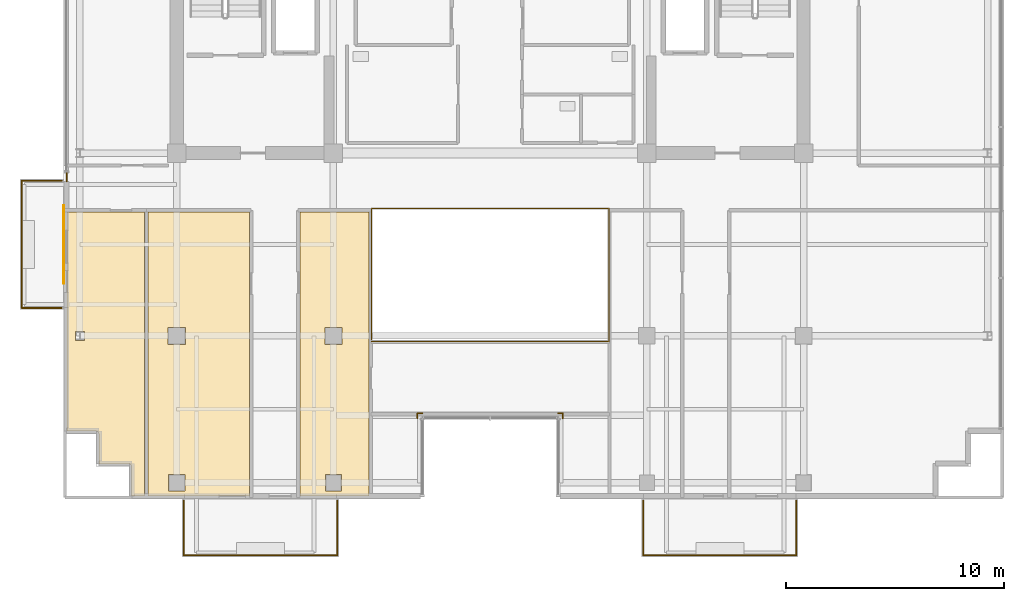
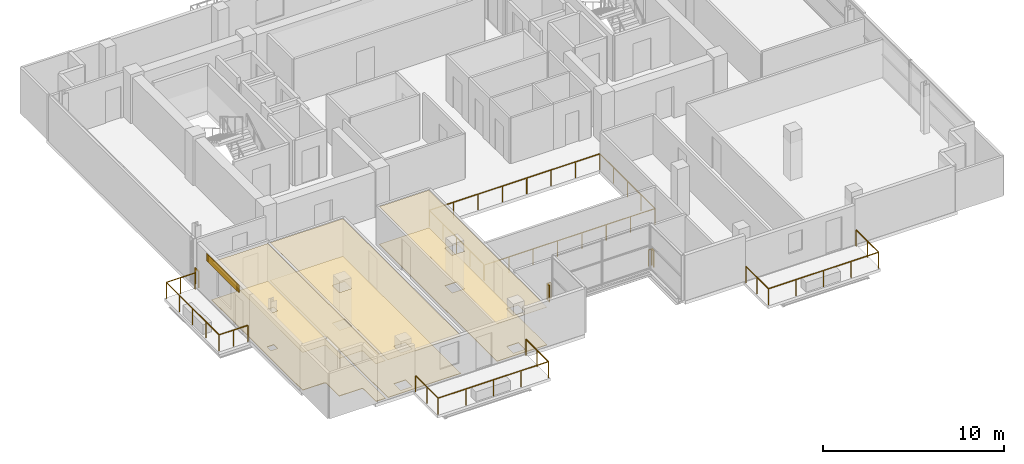
# One storey, part 20 of 24: 9 railings, 7 coverings, 1 shading device.
"""IFC4 building model written with IfcOpenShell, lengths in metres."""

from ifc_helpers import new_model, si_unit, direction, frame, origin, origin_2d, place, context, subcontext, project, spatial, polyline, rectangle, outline, extrude, source, transform, mapped, material, layer, layer_set, type_object, element, save


model = new_model("IFC4")

# Units and contexts
model_context = context("Model", 3, precision=1e-05, world=origin(), true_north=direction((0.0, 1.0)))
body_context = subcontext(model_context, "Body", "Model", "MODEL_VIEW")
ifc_project = project(units=[si_unit("LENGTHUNIT", "METRE"), si_unit("AREAUNIT", "SQUARE_METRE"), si_unit("VOLUMEUNIT", "CUBIC_METRE"), si_unit("PLANEANGLEUNIT", "RADIAN"), si_unit("MASSUNIT", "GRAM", prefix="KILO")], contexts=[model_context])

# Site, building, storey
site_placement = place(None, origin())
site = spatial("IfcSite", under=ifc_project, at=site_placement, CompositionType="ELEMENT")
building_placement = place(site_placement, origin())
building = spatial("IfcBuilding", under=site, at=building_placement, Name="Zarnakvel Exchange Tower", CompositionType="ELEMENT")
storey_placement = place(building_placement, frame((0.0, 0.0, 235.300048828125)))
storey = spatial("IfcBuildingStorey", under=building, at=storey_placement, Name="L66", CompositionType="ELEMENT", Elevation=235.300048828125)

# Coverings
ifc_material_1 = material(Name="Perforated Bronze Acoustic Metal Ceiling", Category="aluminium")
ifc_layer_1 = layer(ifc_material_1, 0.02001953125)
ifc_layer_set_1 = layer_set([ifc_layer_1], Name="Perforated Bronze Acoustic Metal Ceiling")
covering_type_1 = type_object("IfcCoveringType", Name="CLG-01", PredefinedType="CEILING", material=ifc_layer_set_1)
covering_1_placement = place(storey_placement, frame((0.0, 0.0, 2.554931640625)))
element("IfcCovering", 1, at=covering_1_placement, inside=storey, type_object=covering_type_1, Name="L66 Suspended Acoustic Ceiling (Commodities Dealing Room)", PredefinedType="CEILING", context=body_context, shape_type="SweptSolid", body=[
    extrude(outline(polyline([(-15.87158203125, -3.909912109375), (-15.87158203125, -16.949951171875), (-16.47998046875, -16.949951171875), (-16.47998046875, -15.60009765625), (-16.48046875, -15.588134765625), (-16.482421875, -15.57666015625), (-16.485107421875, -15.565185546875), (-16.489013671875, -15.55419921875), (-16.494140625, -15.54345703125), (-16.500244140625, -15.533447265625), (-16.50732421875, -15.52392578125), (-16.51513671875, -15.51513671875), (-16.52392578125, -15.50732421875), (-16.533447265625, -15.500244140625), (-16.54345703125, -15.494140625), (-16.55419921875, -15.489013671875), (-16.565185546875, -15.485107421875), (-16.57666015625, -15.482421875), (-16.588134765625, -15.48046875), (-16.60009765625, -15.47998046875), (-17.97998046875, -15.47998046875), (-17.97998046875, -14.10009765625), (-17.98046875, -14.088134765625), (-17.982421875, -14.07666015625), (-17.985107421875, -14.065185546875), (-17.989013671875, -14.05419921875), (-17.994140625, -14.04345703125), (-18.000244140625, -14.033447265625), (-18.00732421875, -14.02392578125), (-18.01513671875, -14.01513671875), (-18.02392578125, -14.00732421875), (-18.033447265625, -14.000244140625), (-18.04345703125, -13.994140625), (-18.05419921875, -13.989013671875), (-18.065185546875, -13.985107421875), (-18.07666015625, -13.982421875), (-18.088134765625, -13.98046875), (-18.10009765625, -13.97998046875), (-19.449951171875, -13.97998046875), (-19.449951171875, -3.909912109375), (-15.87158203125, -3.909912109375)]), holes=[polyline([(-18.642578125, -9.807373046875), (-18.642578125, -9.392578125), (-19.057373046875, -9.392578125), (-19.057373046875, -9.807373046875), (-18.642578125, -9.807373046875)])]), origin(), (0.0, 0.0, 1.0), 0.02001953125),
])
covering_2_placement = place(storey_placement, frame((0.0, 0.0, 2.554931640625)))
element("IfcCovering", 2, at=covering_2_placement, inside=storey, type_object=covering_type_1, Name="L66 Suspended Acoustic Ceiling (Brokerage Office)", PredefinedType="CEILING", context=body_context, shape_type="SweptSolid", body=[
    extrude(outline(polyline([(-15.711669921875, -3.909912109375), (-11.06005859375, -3.909912109375), (-11.06005859375, -16.949951171875), (-15.711669921875, -16.949951171875), (-15.711669921875, -3.909912109375)]), holes=[polyline([(-14.0048828125, -9.9951171875), (-14.0048828125, -9.205078125), (-14.794921875, -9.205078125), (-14.794921875, -9.9951171875), (-14.0048828125, -9.9951171875)]), polyline([(-14.030029296875, -15.97998046875), (-14.77001953125, -15.97998046875), (-14.77001953125, -16.719970703125), (-14.030029296875, -16.719970703125), (-14.030029296875, -15.97998046875)])]), origin(), (0.0, 0.0, 1.0), 0.02001953125),
])
covering_3_placement = place(storey_placement, frame((0.0, 0.0, 2.554931640625)))
element("IfcCovering", 3, at=covering_3_placement, inside=storey, type_object=covering_type_1, Name="L66 Suspended Acoustic Ceiling (Tea Pantry)", PredefinedType="CEILING", context=body_context, shape_type="SweptSolid", body=[
    extrude(outline(polyline([(-8.739990234375, -3.909912109375), (-5.56005859375, -3.909912109375), (-5.56005859375, -16.949951171875), (-8.739990234375, -16.949951171875), (-8.739990234375, -3.909912109375)]), holes=[polyline([(-6.804931640625, -9.9951171875), (-6.804931640625, -9.205078125), (-7.594970703125, -9.205078125), (-7.594970703125, -9.9951171875), (-6.804931640625, -9.9951171875)]), polyline([(-6.830078125, -16.719970703125), (-6.830078125, -15.97998046875), (-7.570068359375, -15.97998046875), (-7.570068359375, -16.719970703125), (-6.830078125, -16.719970703125)])]), origin(), (0.0, 0.0, 1.0), 0.02001953125),
])
ifc_material_2 = material(Name="Heavy-Duty Raised Access Floor Panel", Category="steel")
ifc_layer_2 = layer(ifc_material_2, 0.034912109375)
ifc_layer_set_2 = layer_set([ifc_layer_2], Name="Heavy-Duty Raised Access Floor Panel")
covering_type_2 = type_object("IfcCoveringType", Name="FLR-02", PredefinedType="FLOORING", material=ifc_layer_set_2)
covering_4_placement = place(storey_placement, origin())
element("IfcCovering", 4, at=covering_4_placement, inside=storey, type_object=covering_type_2, Name="L66 Floor Finish (Commodities Dealing Room)", PredefinedType="FLOORING", context=body_context, shape_type="SweptSolid", body=[
    extrude(outline(polyline([(-15.87158203125, -3.909912109375), (-15.87158203125, -16.949951171875), (-16.47998046875, -16.949951171875), (-16.47998046875, -15.60009765625), (-16.48046875, -15.588134765625), (-16.482421875, -15.57666015625), (-16.485107421875, -15.565185546875), (-16.489013671875, -15.55419921875), (-16.494140625, -15.54345703125), (-16.500244140625, -15.533447265625), (-16.50732421875, -15.52392578125), (-16.51513671875, -15.51513671875), (-16.52392578125, -15.50732421875), (-16.533447265625, -15.500244140625), (-16.54345703125, -15.494140625), (-16.55419921875, -15.489013671875), (-16.565185546875, -15.485107421875), (-16.57666015625, -15.482421875), (-16.588134765625, -15.48046875), (-16.60009765625, -15.47998046875), (-17.97998046875, -15.47998046875), (-17.97998046875, -14.10009765625), (-17.98046875, -14.088134765625), (-17.982421875, -14.07666015625), (-17.985107421875, -14.065185546875), (-17.989013671875, -14.05419921875), (-17.994140625, -14.04345703125), (-18.000244140625, -14.033447265625), (-18.00732421875, -14.02392578125), (-18.01513671875, -14.01513671875), (-18.02392578125, -14.00732421875), (-18.033447265625, -14.000244140625), (-18.04345703125, -13.994140625), (-18.05419921875, -13.989013671875), (-18.065185546875, -13.985107421875), (-18.07666015625, -13.982421875), (-18.088134765625, -13.98046875), (-18.10009765625, -13.97998046875), (-19.449951171875, -13.97998046875), (-19.449951171875, -3.909912109375), (-15.87158203125, -3.909912109375)]), holes=[polyline([(-18.642578125, -9.807373046875), (-18.642578125, -9.392578125), (-19.057373046875, -9.392578125), (-19.057373046875, -9.807373046875), (-18.642578125, -9.807373046875)])]), origin(), (0.0, 0.0, 1.0), 0.034912109375),
])
covering_5_placement = place(storey_placement, origin())
element("IfcCovering", 5, at=covering_5_placement, inside=storey, type_object=covering_type_2, Name="L66 Floor Finish (Brokerage Office)", PredefinedType="FLOORING", context=body_context, shape_type="SweptSolid", body=[
    extrude(outline(polyline([(-15.711669921875, -3.909912109375), (-11.06005859375, -3.909912109375), (-11.06005859375, -16.949951171875), (-15.711669921875, -16.949951171875), (-15.711669921875, -3.909912109375)]), holes=[polyline([(-14.0048828125, -9.9951171875), (-14.0048828125, -9.205078125), (-14.794921875, -9.205078125), (-14.794921875, -9.9951171875), (-14.0048828125, -9.9951171875)]), polyline([(-14.030029296875, -15.97998046875), (-14.77001953125, -15.97998046875), (-14.77001953125, -16.719970703125), (-14.030029296875, -16.719970703125), (-14.030029296875, -15.97998046875)])]), origin(), (0.0, 0.0, 1.0), 0.034912109375),
])
covering_6_placement = place(storey_placement, origin())
element("IfcCovering", 6, at=covering_6_placement, inside=storey, type_object=covering_type_2, Name="L66 Floor Finish (Tea Pantry)", PredefinedType="FLOORING", context=body_context, shape_type="SweptSolid", body=[
    extrude(outline(polyline([(-8.739990234375, -3.909912109375), (-5.56005859375, -3.909912109375), (-5.56005859375, -16.949951171875), (-8.739990234375, -16.949951171875), (-8.739990234375, -3.909912109375)]), holes=[polyline([(-6.804931640625, -9.9951171875), (-6.804931640625, -9.205078125), (-7.594970703125, -9.205078125), (-7.594970703125, -9.9951171875), (-6.804931640625, -9.9951171875)]), polyline([(-6.830078125, -16.719970703125), (-6.830078125, -15.97998046875), (-7.570068359375, -15.97998046875), (-7.570068359375, -16.719970703125), (-6.830078125, -16.719970703125)])]), origin(), (0.0, 0.0, 1.0), 0.034912109375),
])

# Railings
ifc_material_3 = material(Name="Architectural Bronze Anodised Aluminium", Category="aluminium")
railing_type_1 = type_object("IfcRailingType", Name="GR-02", PredefinedType="GUARDRAIL", material=ifc_material_3)
railing_1_placement = place(storey_placement, frame((-14.070068359375, -17.179931640625, -0.03515625)))
element("IfcRailing", 7, at=railing_1_placement, inside=storey, type_object=railing_type_1, Name="L66 Balcony Guardrail BAL-L66-SW", PredefinedType="GUARDRAIL", context=body_context, shape_type="SweptSolid", body=[
    extrude(rectangle(XDim=0.048095703125, YDim=0.048095703125, at=origin_2d()), frame((0.0, 0.0, 1.09619140625), z_axis=(0.0, -1.0, 0.0), x_axis=(1.0, 0.0, 0.0)), (0.0, 0.0, 1.0), 2.489990234375),
    extrude(rectangle(XDim=0.048095703125, YDim=0.048095703125, at=origin_2d()), frame((0.0, -2.489990234375, 1.09619140625), z_axis=(1.0, 0.0, 0.0), x_axis=(0.0, 1.0, 0.0)), (0.0, 0.0, 1.0), 7.0400390625),
    extrude(rectangle(XDim=0.048095703125, YDim=0.048095703125, at=origin_2d()), frame((7.0400390625, -2.489990234375, 1.09619140625), z_axis=(0.0, 1.0, 0.0), x_axis=(-1.0, 0.0, 0.0)), (0.0, 0.0, 1.0), 2.489990234375),
    extrude(rectangle(XDim=0.0419921875, YDim=0.0419921875, at=origin_2d()), origin(), (0.0, 0.0, 1.0), 1.072021484375),
    extrude(rectangle(XDim=0.0419921875, YDim=0.0419921875, at=origin_2d()), frame((0.0, -1.2451171875, 0.0)), (0.0, 0.0, 1.0), 1.072021484375),
    extrude(rectangle(XDim=0.0419921875, YDim=0.0419921875, at=origin_2d()), frame((0.0, -2.489990234375, 0.0)), (0.0, 0.0, 1.0), 1.072021484375),
    extrude(rectangle(XDim=0.0419921875, YDim=0.0419921875, at=origin_2d()), frame((1.760009765625, -2.489990234375, 0.0)), (0.0, 0.0, 1.0), 1.072021484375),
    extrude(rectangle(XDim=0.0419921875, YDim=0.0419921875, at=origin_2d()), frame((3.52001953125, -2.489990234375, 0.0)), (0.0, 0.0, 1.0), 1.072021484375),
    extrude(rectangle(XDim=0.0419921875, YDim=0.0419921875, at=origin_2d()), frame((5.280029296875, -2.489990234375, 0.0)), (0.0, 0.0, 1.0), 1.072021484375),
    extrude(rectangle(XDim=0.0419921875, YDim=0.0419921875, at=origin_2d()), frame((7.0400390625, -2.489990234375, 0.0)), (0.0, 0.0, 1.0), 1.072021484375),
    extrude(rectangle(XDim=0.0419921875, YDim=0.0419921875, at=origin_2d()), frame((7.0400390625, -1.2451171875, 0.0)), (0.0, 0.0, 1.0), 1.072021484375),
    extrude(rectangle(XDim=0.0419921875, YDim=0.0419921875, at=origin_2d()), frame((7.0400390625, 0.0, 0.0)), (0.0, 0.0, 1.0), 1.072021484375),
])
railing_2_placement = place(storey_placement, frame((7.030029296875, -17.179931640625, -0.03515625)))
element("IfcRailing", 8, at=railing_2_placement, inside=storey, type_object=railing_type_1, Name="L66 Balcony Guardrail BAL-L66-SE", PredefinedType="GUARDRAIL", context=body_context, shape_type="SweptSolid", body=[
    extrude(rectangle(XDim=0.048095703125, YDim=0.048095703125, at=origin_2d()), frame((0.0, 0.0, 1.09619140625), z_axis=(0.0, -1.0, 0.0), x_axis=(1.0, 0.0, 0.0)), (0.0, 0.0, 1.0), 2.489990234375),
    extrude(rectangle(XDim=0.048095703125, YDim=0.048095703125, at=origin_2d()), frame((0.0, -2.489990234375, 1.09619140625), z_axis=(1.0, 0.0, 0.0), x_axis=(0.0, 1.0, 0.0)), (0.0, 0.0, 1.0), 7.0400390625),
    extrude(rectangle(XDim=0.048095703125, YDim=0.048095703125, at=origin_2d()), frame((7.0400390625, -2.489990234375, 1.09619140625), z_axis=(0.0, 1.0, 0.0), x_axis=(-1.0, 0.0, 0.0)), (0.0, 0.0, 1.0), 2.489990234375),
    extrude(rectangle(XDim=0.0419921875, YDim=0.0419921875, at=origin_2d()), origin(), (0.0, 0.0, 1.0), 1.072021484375),
    extrude(rectangle(XDim=0.0419921875, YDim=0.0419921875, at=origin_2d()), frame((0.0, -1.2451171875, 0.0)), (0.0, 0.0, 1.0), 1.072021484375),
    extrude(rectangle(XDim=0.0419921875, YDim=0.0419921875, at=origin_2d()), frame((0.0, -2.489990234375, 0.0)), (0.0, 0.0, 1.0), 1.072021484375),
    extrude(rectangle(XDim=0.0419921875, YDim=0.0419921875, at=origin_2d()), frame((1.760009765625, -2.489990234375, 0.0)), (0.0, 0.0, 1.0), 1.072021484375),
    extrude(rectangle(XDim=0.0419921875, YDim=0.0419921875, at=origin_2d()), frame((3.52001953125, -2.489990234375, 0.0)), (0.0, 0.0, 1.0), 1.072021484375),
    extrude(rectangle(XDim=0.0419921875, YDim=0.0419921875, at=origin_2d()), frame((5.280029296875, -2.489990234375, 0.0)), (0.0, 0.0, 1.0), 1.072021484375),
    extrude(rectangle(XDim=0.0419921875, YDim=0.0419921875, at=origin_2d()), frame((7.0400390625, -2.489990234375, 0.0)), (0.0, 0.0, 1.0), 1.072021484375),
    extrude(rectangle(XDim=0.0419921875, YDim=0.0419921875, at=origin_2d()), frame((7.0400390625, -1.2451171875, 0.0)), (0.0, 0.0, 1.0), 1.072021484375),
    extrude(rectangle(XDim=0.0419921875, YDim=0.0419921875, at=origin_2d()), frame((7.0400390625, 0.0, 0.0)), (0.0, 0.0, 1.0), 1.072021484375),
])
railing_3_placement = place(storey_placement, frame((-19.679931640625, -8.320068359375, -0.03515625)))
element("IfcRailing", 9, at=railing_3_placement, inside=storey, type_object=railing_type_1, Name="L66 Balcony Guardrail BAL-L66-W", PredefinedType="GUARDRAIL", context=body_context, shape_type="SweptSolid", body=[
    extrude(rectangle(XDim=0.048095703125, YDim=0.048095703125, at=origin_2d()), frame((0.0, 0.0, 1.09619140625), z_axis=(-1.0, 0.0, 0.0), x_axis=(0.0, -1.0, 0.0)), (0.0, 0.0, 1.0), 1.840087890625),
    extrude(rectangle(XDim=0.048095703125, YDim=0.048095703125, at=origin_2d()), frame((-1.840087890625, 0.0, 1.09619140625), z_axis=(0.0, 1.0, 0.0), x_axis=(-1.0, 0.0, 0.0)), (0.0, 0.0, 1.0), 5.840087890625),
    extrude(rectangle(XDim=0.048095703125, YDim=0.048095703125, at=origin_2d()), frame((-1.840087890625, 5.840087890625, 1.09619140625), z_axis=(1.0, 0.0, 0.0), x_axis=(0.0, 1.0, 0.0)), (0.0, 0.0, 1.0), 1.840087890625),
    extrude(rectangle(XDim=0.0419921875, YDim=0.0419921875, at=origin_2d()), origin(), (0.0, 0.0, 1.0), 1.072021484375),
    extrude(rectangle(XDim=0.0419921875, YDim=0.0419921875, at=origin_2d()), frame((-0.919921875, 0.0, 0.0)), (0.0, 0.0, 1.0), 1.072021484375),
    extrude(rectangle(XDim=0.0419921875, YDim=0.0419921875, at=origin_2d()), frame((-1.840087890625, 0.0, 0.0)), (0.0, 0.0, 1.0), 1.072021484375),
    extrude(rectangle(XDim=0.0419921875, YDim=0.0419921875, at=origin_2d()), frame((-1.840087890625, 1.4599609375, 0.0)), (0.0, 0.0, 1.0), 1.072021484375),
    extrude(rectangle(XDim=0.0419921875, YDim=0.0419921875, at=origin_2d()), frame((-1.840087890625, 2.919921875, 0.0)), (0.0, 0.0, 1.0), 1.072021484375),
    extrude(rectangle(XDim=0.0419921875, YDim=0.0419921875, at=origin_2d()), frame((-1.840087890625, 4.380126953125, 0.0)), (0.0, 0.0, 1.0), 1.072021484375),
    extrude(rectangle(XDim=0.0419921875, YDim=0.0419921875, at=origin_2d()), frame((-1.840087890625, 5.840087890625, 0.0)), (0.0, 0.0, 1.0), 1.072021484375),
    extrude(rectangle(XDim=0.0419921875, YDim=0.0419921875, at=origin_2d()), frame((-0.919921875, 5.840087890625, 0.0)), (0.0, 0.0, 1.0), 1.072021484375),
    extrude(rectangle(XDim=0.0419921875, YDim=0.0419921875, at=origin_2d()), frame((0.0, 5.840087890625, 0.0)), (0.0, 0.0, 1.0), 1.072021484375),
])
railing_4_placement = place(storey_placement, frame((-19.4599609375, -2.5, 0.0)))
element("IfcRailing", 10, at=railing_4_placement, inside=storey, type_object=railing_type_1, Name="L66 Corner Spandrel Balustrade #2", PredefinedType="GUARDRAIL", context=body_context, shape_type="SweptSolid", body=[
    extrude(rectangle(XDim=0.048095703125, YDim=0.048095703125, at=origin_2d()), frame((0.0, 0.0, 1.09619140625), z_axis=(0.0, 1.0, 0.0), x_axis=(-1.0, 0.0, 0.0)), (0.0, 0.0, 1.0), 0.39990234375),
    extrude(rectangle(XDim=0.0419921875, YDim=0.0419921875, at=origin_2d()), origin(), (0.0, 0.0, 1.0), 1.072021484375),
    extrude(rectangle(XDim=0.0419921875, YDim=0.0419921875, at=origin_2d()), frame((0.0, 0.39990234375, 0.0)), (0.0, 0.0, 1.0), 1.072021484375),
])
railing_5_placement = place(storey_placement, frame((3.340087890625, -13.3798828125, 0.0)))
element("IfcRailing", 11, at=railing_5_placement, inside=storey, type_object=railing_type_1, Name="L66 Corner Spandrel Balustrade #19", PredefinedType="GUARDRAIL", context=body_context, shape_type="SweptSolid", body=[
    extrude(rectangle(XDim=0.048095703125, YDim=0.048095703125, at=origin_2d()), frame((0.0, 0.0, 1.09619140625), z_axis=(0.0, 1.0, 0.0), x_axis=(-1.0, 0.0, 0.0)), (0.0, 0.0, 1.0), 0.219970703125),
    extrude(rectangle(XDim=0.0419921875, YDim=0.0419921875, at=origin_2d()), origin(), (0.0, 0.0, 1.0), 1.072021484375),
    extrude(rectangle(XDim=0.0419921875, YDim=0.0419921875, at=origin_2d()), frame((0.0, 0.219970703125, 0.0)), (0.0, 0.0, 1.0), 1.072021484375),
])
for number, where, name in (
    (12, (3.340087890625, -13.159912109375, 0.0), "L66 Corner Spandrel Balustrade #20"),
    (13, (-3.1201171875, -13.159912109375, 0.0), "L66 Corner Spandrel Balustrade #21"),
):
    element("IfcRailing", number, at=place(storey_placement, frame(where)), inside=storey, type_object=railing_type_1, Name=name, PredefinedType="GUARDRAIL", context=body_context, shape_type="SweptSolid", body=[
        extrude(rectangle(XDim=0.048095703125, YDim=0.048095703125, at=origin_2d()), frame((0.0, 0.0, 1.09619140625), z_axis=(-1.0, 0.0, 0.0), x_axis=(0.0, -1.0, 0.0)), (0.0, 0.0, 1.0), 0.219970703125),
        extrude(rectangle(XDim=0.0419921875, YDim=0.0419921875, at=origin_2d()), origin(), (0.0, 0.0, 1.0), 1.072021484375),
        extrude(rectangle(XDim=0.0419921875, YDim=0.0419921875, at=origin_2d()), frame((-0.219970703125, 0.0, 0.0)), (0.0, 0.0, 1.0), 1.072021484375),
    ])
railing_6_placement = place(storey_placement, frame((-3.340087890625, -13.159912109375, 0.0)))
element("IfcRailing", 14, at=railing_6_placement, inside=storey, type_object=railing_type_1, Name="L66 Corner Spandrel Balustrade #22", PredefinedType="GUARDRAIL", context=body_context, shape_type="SweptSolid", body=[
    extrude(rectangle(XDim=0.048095703125, YDim=0.048095703125, at=origin_2d()), frame((0.0, 0.0, 1.09619140625), z_axis=(0.0, -1.0, 0.0), x_axis=(1.0, 0.0, 0.0)), (0.0, 0.0, 1.0), 0.219970703125),
    extrude(rectangle(XDim=0.0419921875, YDim=0.0419921875, at=origin_2d()), origin(), (0.0, 0.0, 1.0), 1.072021484375),
    extrude(rectangle(XDim=0.0419921875, YDim=0.0419921875, at=origin_2d()), frame((0.0, -0.219970703125, 0.0)), (0.0, 0.0, 1.0), 1.072021484375),
])
railing_type_2 = type_object("IfcRailingType", Name="GR-03", PredefinedType="GUARDRAIL", material=ifc_material_3)
railing_7_placement = place(storey_placement, frame((-5.449951171875, -9.85009765625, 0.0)))
element("IfcRailing", 15, at=railing_7_placement, inside=storey, type_object=railing_type_2, Name="L66 Atrium Void Perimeter Balustrade", PredefinedType="GUARDRAIL", context=body_context, shape_type="SweptSolid", body=[
    extrude(rectangle(XDim=0.048095703125, YDim=0.048095703125, at=origin_2d()), frame((0.0, 0.0, 1.076171875), z_axis=(1.0, 0.0, 0.0), x_axis=(0.0, 1.0, 0.0)), (0.0, 0.0, 1.0), 10.89990234375),
    extrude(rectangle(XDim=0.048095703125, YDim=0.048095703125, at=origin_2d()), frame((10.89990234375, 0.0, 1.076171875), z_axis=(0.0, 1.0, 0.0), x_axis=(-1.0, 0.0, 0.0)), (0.0, 0.0, 1.0), 6.10009765625),
    extrude(rectangle(XDim=0.048095703125, YDim=0.048095703125, at=origin_2d()), frame((10.89990234375, 6.10009765625, 1.076171875), z_axis=(-1.0, 0.0, 0.0), x_axis=(0.0, -1.0, 0.0)), (0.0, 0.0, 1.0), 10.89990234375),
    extrude(rectangle(XDim=0.048095703125, YDim=0.048095703125, at=origin_2d()), frame((0.0, 6.10009765625, 1.076171875), z_axis=(0.0, -1.0, 0.0), x_axis=(1.0, 0.0, 0.0)), (0.0, 0.0, 1.0), 6.02001953125),
    extrude(rectangle(XDim=0.0419921875, YDim=0.0419921875, at=origin_2d()), origin(), (0.0, 0.0, 1.0), 1.052001953125),
    extrude(rectangle(XDim=0.0419921875, YDim=0.0419921875, at=origin_2d()), frame((1.55712890625, 0.0, 0.0)), (0.0, 0.0, 1.0), 1.052001953125),
    extrude(rectangle(XDim=0.0419921875, YDim=0.0419921875, at=origin_2d()), frame((3.1142578125, 0.0, 0.0)), (0.0, 0.0, 1.0), 1.052001953125),
    extrude(rectangle(XDim=0.0419921875, YDim=0.0419921875, at=origin_2d()), frame((4.67138671875, 0.0, 0.0)), (0.0, 0.0, 1.0), 1.052001953125),
    extrude(rectangle(XDim=0.0419921875, YDim=0.0419921875, at=origin_2d()), frame((6.228515625, 0.0, 0.0)), (0.0, 0.0, 1.0), 1.052001953125),
    extrude(rectangle(XDim=0.0419921875, YDim=0.0419921875, at=origin_2d()), frame((7.78564453125, 0.0, 0.0)), (0.0, 0.0, 1.0), 1.052001953125),
    extrude(rectangle(XDim=0.0419921875, YDim=0.0419921875, at=origin_2d()), frame((9.3427734375, 0.0, 0.0)), (0.0, 0.0, 1.0), 1.052001953125),
    extrude(rectangle(XDim=0.0419921875, YDim=0.0419921875, at=origin_2d()), frame((10.89990234375, 0.0, 0.0)), (0.0, 0.0, 1.0), 1.052001953125),
    extrude(rectangle(XDim=0.0419921875, YDim=0.0419921875, at=origin_2d()), frame((10.89990234375, 1.52490234375, 0.0)), (0.0, 0.0, 1.0), 1.052001953125),
    extrude(rectangle(XDim=0.0419921875, YDim=0.0419921875, at=origin_2d()), frame((10.89990234375, 3.050048828125, 0.0)), (0.0, 0.0, 1.0), 1.052001953125),
    extrude(rectangle(XDim=0.0419921875, YDim=0.0419921875, at=origin_2d()), frame((10.89990234375, 4.5751953125, 0.0)), (0.0, 0.0, 1.0), 1.052001953125),
    extrude(rectangle(XDim=0.0419921875, YDim=0.0419921875, at=origin_2d()), frame((10.89990234375, 6.10009765625, 0.0)), (0.0, 0.0, 1.0), 1.052001953125),
    extrude(rectangle(XDim=0.0419921875, YDim=0.0419921875, at=origin_2d()), frame((9.3427734375, 6.10009765625, 0.0)), (0.0, 0.0, 1.0), 1.052001953125),
    extrude(rectangle(XDim=0.0419921875, YDim=0.0419921875, at=origin_2d()), frame((7.78564453125, 6.10009765625, 0.0)), (0.0, 0.0, 1.0), 1.052001953125),
    extrude(rectangle(XDim=0.0419921875, YDim=0.0419921875, at=origin_2d()), frame((6.228515625, 6.10009765625, 0.0)), (0.0, 0.0, 1.0), 1.052001953125),
    extrude(rectangle(XDim=0.0419921875, YDim=0.0419921875, at=origin_2d()), frame((4.67138671875, 6.10009765625, 0.0)), (0.0, 0.0, 1.0), 1.052001953125),
    extrude(rectangle(XDim=0.0419921875, YDim=0.0419921875, at=origin_2d()), frame((3.1142578125, 6.10009765625, 0.0)), (0.0, 0.0, 1.0), 1.052001953125),
    extrude(rectangle(XDim=0.0419921875, YDim=0.0419921875, at=origin_2d()), frame((1.55712890625, 6.10009765625, 0.0)), (0.0, 0.0, 1.0), 1.052001953125),
    extrude(rectangle(XDim=0.0419921875, YDim=0.0419921875, at=origin_2d()), frame((0.0, 6.10009765625, 0.0)), (0.0, 0.0, 1.0), 1.052001953125),
    extrude(rectangle(XDim=0.0419921875, YDim=0.0419921875, at=origin_2d()), frame((0.0, 4.59521484375, 0.0)), (0.0, 0.0, 1.0), 1.052001953125),
    extrude(rectangle(XDim=0.0419921875, YDim=0.0419921875, at=origin_2d()), frame((0.0, 3.090087890625, 0.0)), (0.0, 0.0, 1.0), 1.052001953125),
    extrude(rectangle(XDim=0.0419921875, YDim=0.0419921875, at=origin_2d()), frame((0.0, 1.5849609375, 0.0)), (0.0, 0.0, 1.0), 1.052001953125),
    extrude(rectangle(XDim=0.0419921875, YDim=0.0419921875, at=origin_2d()), frame((0.0, 0.080078125, 0.0)), (0.0, 0.0, 1.0), 1.052001953125),
])

# Covering
ifc_material_4 = material(Name="Warm Sandstone Terracotta Spandrel Tile", Category="masonry")
ifc_layer_3 = layer(ifc_material_4, 0.031982421875)
ifc_layer_set_3 = layer_set([ifc_layer_3], Name="Warm Sandstone Terracotta Spandrel Tile")
covering_type_3 = type_object("IfcCoveringType", Name="CL-02", PredefinedType="CLADDING", material=ifc_layer_set_3)
shared_shape_1 = source(origin(), body_context, "Body", "SweptSolid", [
    extrude(rectangle(XDim=3.60009765625, YDim=0.031982421875, at=origin_2d()), origin(), (0.0, 0.0, 1.0), 0.4951171875),
])
covering_7_placement = place(storey_placement, frame((-19.593994140625, -5.39990234375, 2.559814453125), z_axis=(0.0, 0.0, 1.0), x_axis=(0.0, 1.0, 0.0)))
element("IfcCovering", 16, at=covering_7_placement, inside=storey, type_object=covering_type_3, Name="L66 Ceramic Spandrel Tilework CL-02", PredefinedType="CLADDING", context=body_context, shape_type="MappedRepresentation", body=[
    mapped(shared_shape_1, transform((0.0, 0.0, 0.0), x_axis=(1.0, 0.0, 0.0), y_axis=(0.0, 1.0, 0.0), z_axis=(0.0, 0.0, 1.0), scale=1.0)),
])

# Shading device
ifc_material_5 = material(Name="Perforated Architectural Bronze Screen", Category="aluminium")
ifc_layer_4 = layer(ifc_material_5, 0.044921875)
ifc_layer_set_4 = layer_set([ifc_layer_4], Name="Perforated Architectural Bronze Screen")
shading_device_type = type_object("IfcShadingDeviceType", Name="SS-01", PredefinedType="JALOUSIE", material=ifc_layer_set_4)
shared_shape_2 = source(origin(), body_context, "Body", "SweptSolid", [
    extrude(rectangle(XDim=3.199951171875, YDim=0.044921875, at=origin_2d()), origin(), (0.0, 0.0, 1.0), 0.4951171875),
])
shading_device_placement = place(storey_placement, frame((-19.6005859375, -5.39990234375, 2.559814453125), z_axis=(0.0, 0.0, 1.0), x_axis=(0.0, 1.0, 0.0)))
element("IfcShadingDevice", 17, at=shading_device_placement, inside=storey, type_object=shading_device_type, Name="L66 Bronze Solar Shading Screen SS-01", PredefinedType="JALOUSIE", context=body_context, shape_type="MappedRepresentation", body=[
    mapped(shared_shape_2, transform((0.0, 0.0, 0.0), x_axis=(1.0, 0.0, 0.0), y_axis=(0.0, 1.0, 0.0), z_axis=(0.0, 0.0, 1.0), scale=1.0)),
])

save(model, "model.ifc")
